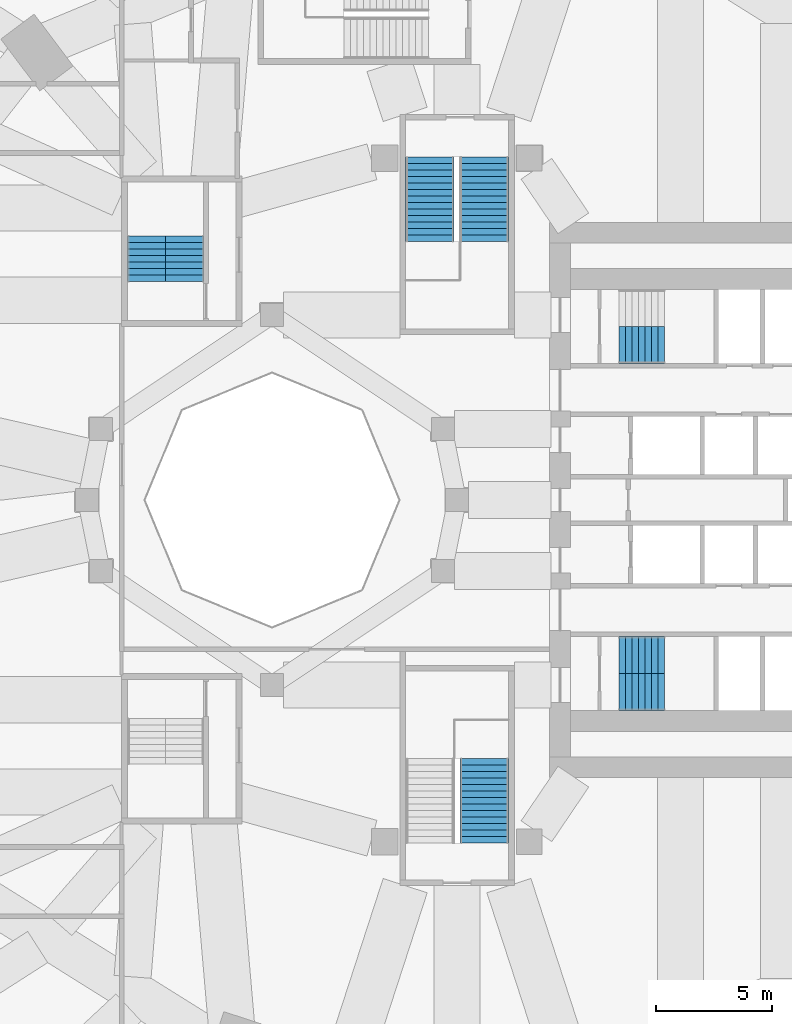
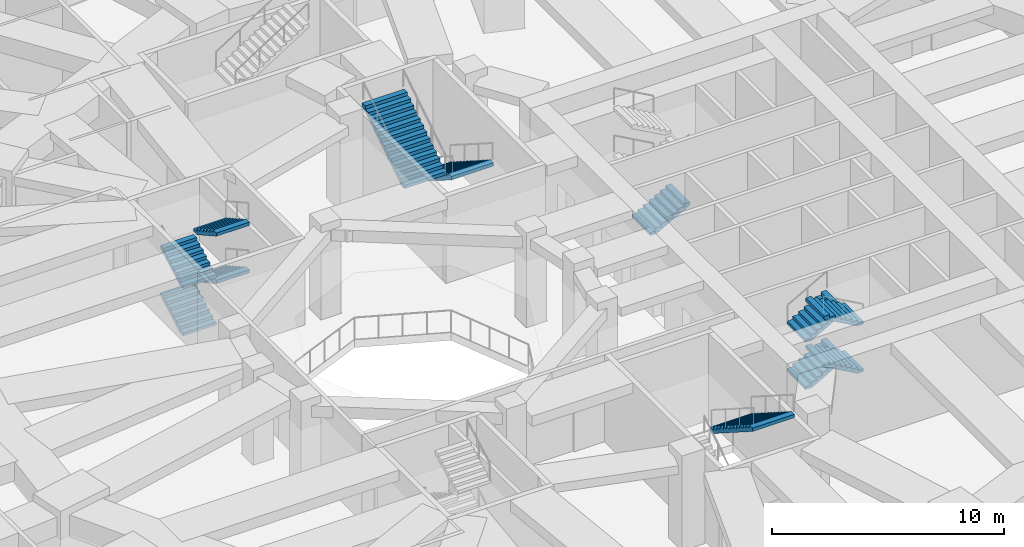
# One storey, part 26 of 32: 12 stair flights, 5 elements without a shape of their own.
"""IFC4 building model written with IfcOpenShell, lengths in metres."""

from ifc_helpers import new_model, si_unit, direction, frame, origin, place, context, subcontext, project, spatial, polyline, outline, extrude, material, type_object, element, aggregate, save


model = new_model("IFC4")

# Units and contexts
model_context = context("Model", 3, precision=1e-05, world=origin(), true_north=direction((0.0, 1.0)))
body_context = subcontext(model_context, "Body", "Model", "MODEL_VIEW")
ifc_project = project(units=[si_unit("LENGTHUNIT", "METRE"), si_unit("AREAUNIT", "SQUARE_METRE"), si_unit("VOLUMEUNIT", "CUBIC_METRE"), si_unit("PLANEANGLEUNIT", "RADIAN"), si_unit("MASSUNIT", "GRAM", prefix="KILO")], contexts=[model_context])

# Site, building, storey
site_placement = place(None, origin())
site = spatial("IfcSite", under=ifc_project, at=site_placement, CompositionType="ELEMENT")
building_placement = place(site_placement, origin())
building = spatial("IfcBuilding", under=site, at=building_placement, Name="Taillehof Tower", CompositionType="ELEMENT")
storey_placement = place(building_placement, frame((0.0, 0.0, 7.5)))
storey = spatial("IfcBuildingStorey", under=building, at=storey_placement, Name="L01", CompositionType="ELEMENT", Elevation=7.5)

# Stair, stair flight
ifc_material_1 = material(Name="Concrete C40/50", Category="concrete")
stair_type_1 = type_object("IfcStairType", Name="Exit stair half-turn", PredefinedType="HALF_TURN_STAIR", material=ifc_material_1)
stair_1_placement = place(storey_placement, origin())
stair_1 = element("IfcStair", 1, at=stair_1_placement, inside=storey, type_object=stair_type_1, Name="Exit stair S1", PredefinedType="HALF_TURN_STAIR")
ifc_material_2 = material(Name="Concrete C40/50", Category="concrete")
stair_flight_type_1 = type_object("IfcStairFlightType", Name="Stair flight 1600 riser 156.2 going 280", PredefinedType="STRAIGHT", material=ifc_material_2)
stair_flight_1_placement = place(storey_placement, frame((7.0, 6.699951171875, 0.0), z_axis=(0.0, 0.0, 1.0), x_axis=(1.0, 0.0, 0.0)))
stair_flight_1 = element("IfcStairFlight", 2, at=stair_flight_1_placement, type_object=stair_flight_type_1, Name="S1 flight 1", NumberOfRisers=8, NumberOfTreads=7, PredefinedType="STRAIGHT", RiserHeight=0.15625, TreadLength=0.28, context=body_context, shape_type="SweptSolid", body=[
    extrude(outline(polyline([(0.0, 0.0), (0.0, 0.00634765625), (0.0, 0.012451171875), (0.0, 0.018798828125), (0.0, 0.02490234375), (0.0, 0.03125), (0.0, 0.03759765625), (0.0, 0.043701171875), (0.0, 0.050048828125), (0.0, 0.05615234375), (0.0, 0.0625), (0.0, 0.06884765625), (0.0, 0.074951171875), (0.0, 0.081298828125), (0.0, 0.08740234375), (0.0, 0.09375), (0.0, 0.10009765625), (0.0, 0.106201171875), (0.0, 0.112548828125), (0.0, 0.11865234375), (0.0, 0.125), (0.0, 0.13134765625), (0.0, 0.137451171875), (0.0, 0.143798828125), (0.0, 0.14990234375), (0.0, 0.15625), (0.280029296875, 0.15625), (0.280029296875, 0.3125), (0.56005859375, 0.3125), (0.56005859375, 0.46875), (0.840087890625, 0.46875), (0.840087890625, 0.625), (1.1201171875, 0.625), (1.1201171875, 0.78125), (1.39990234375, 0.78125), (1.39990234375, 0.9375), (1.679931640625, 0.9375), (1.679931640625, 1.09375), (1.9599609375, 1.09375), (1.9599609375, 1.0869140625), (1.9599609375, 1.080078125), (1.9599609375, 1.0732421875), (1.9599609375, 1.066162109375), (1.9599609375, 1.059326171875), (1.9599609375, 1.052490234375), (1.9599609375, 1.045654296875), (1.9599609375, 1.038818359375), (1.9599609375, 1.031982421875), (1.9599609375, 1.025146484375), (1.9599609375, 1.018310546875), (1.9599609375, 1.01123046875), (1.9599609375, 1.00439453125), (1.9599609375, 0.99755859375), (1.9599609375, 0.99072265625), (1.9599609375, 0.98388671875), (1.9599609375, 0.97705078125), (1.9599609375, 0.97021484375), (1.9599609375, 0.96337890625), (1.9599609375, 0.956298828125), (1.9599609375, 0.949462890625), (1.9599609375, 0.942626953125), (1.9599609375, 0.935791015625), (1.9599609375, 0.928955078125), (1.9599609375, 0.922119140625), (0.3076171875, 0.0), (0.0, 0.0)])), frame((0.0, 0.800048828125, 0.0), z_axis=(0.0, -1.0, 0.0), x_axis=(1.0, 0.0, 0.0)), (0.0, 0.0, 1.0), 1.6),
])
aggregate(stair_1, [stair_flight_1])

# Stair, stair flights
stair_2_placement = place(storey_placement, origin())
stair_2 = element("IfcStair", 3, at=stair_2_placement, inside=storey, type_object=stair_type_1, Name="Exit stair S2", PredefinedType="HALF_TURN_STAIR")
stair_flight_2_placement = place(storey_placement, frame((7.0, -6.699951171875, 0.0), z_axis=(0.0, 0.0, 1.0), x_axis=(1.0, 0.0, 0.0)))
stair_flight_2 = element("IfcStairFlight", 4, at=stair_flight_2_placement, type_object=stair_flight_type_1, Name="S2 flight 1", NumberOfRisers=8, NumberOfTreads=7, PredefinedType="STRAIGHT", RiserHeight=0.15625, TreadLength=0.28, context=body_context, shape_type="SweptSolid", body=[
    extrude(outline(polyline([(0.0, 0.0), (0.0, 0.00634765625), (0.0, 0.012451171875), (0.0, 0.018798828125), (0.0, 0.02490234375), (0.0, 0.03125), (0.0, 0.03759765625), (0.0, 0.043701171875), (0.0, 0.050048828125), (0.0, 0.05615234375), (0.0, 0.0625), (0.0, 0.06884765625), (0.0, 0.074951171875), (0.0, 0.081298828125), (0.0, 0.08740234375), (0.0, 0.09375), (0.0, 0.10009765625), (0.0, 0.106201171875), (0.0, 0.112548828125), (0.0, 0.11865234375), (0.0, 0.125), (0.0, 0.13134765625), (0.0, 0.137451171875), (0.0, 0.143798828125), (0.0, 0.14990234375), (0.0, 0.15625), (0.280029296875, 0.15625), (0.280029296875, 0.3125), (0.56005859375, 0.3125), (0.56005859375, 0.46875), (0.840087890625, 0.46875), (0.840087890625, 0.625), (1.1201171875, 0.625), (1.1201171875, 0.78125), (1.39990234375, 0.78125), (1.39990234375, 0.9375), (1.679931640625, 0.9375), (1.679931640625, 1.09375), (1.9599609375, 1.09375), (1.9599609375, 1.0869140625), (1.9599609375, 1.080078125), (1.9599609375, 1.0732421875), (1.9599609375, 1.066162109375), (1.9599609375, 1.059326171875), (1.9599609375, 1.052490234375), (1.9599609375, 1.045654296875), (1.9599609375, 1.038818359375), (1.9599609375, 1.031982421875), (1.9599609375, 1.025146484375), (1.9599609375, 1.018310546875), (1.9599609375, 1.01123046875), (1.9599609375, 1.00439453125), (1.9599609375, 0.99755859375), (1.9599609375, 0.99072265625), (1.9599609375, 0.98388671875), (1.9599609375, 0.97705078125), (1.9599609375, 0.97021484375), (1.9599609375, 0.96337890625), (1.9599609375, 0.956298828125), (1.9599609375, 0.949462890625), (1.9599609375, 0.942626953125), (1.9599609375, 0.935791015625), (1.9599609375, 0.928955078125), (1.9599609375, 0.922119140625), (0.3076171875, 0.0), (0.0, 0.0)])), frame((0.0, 0.800048828125, 0.0), z_axis=(0.0, -1.0, 0.0), x_axis=(1.0, 0.0, 0.0)), (0.0, 0.0, 1.0), 1.6),
])
stair_flight_3_placement = place(storey_placement, frame((8.9599609375, -8.300048828125, 1.25), z_axis=(0.0, 0.0, 1.0), x_axis=(-1.0, 0.0, 0.0)))
stair_flight_3 = element("IfcStairFlight", 5, at=stair_flight_3_placement, type_object=stair_flight_type_1, Name="S2 flight 2", NumberOfRisers=8, NumberOfTreads=7, PredefinedType="STRAIGHT", RiserHeight=0.15625, TreadLength=0.28, context=body_context, shape_type="SweptSolid", body=[
    extrude(outline(polyline([(0.0, 0.0), (0.0, 0.00634765625), (0.0, 0.012451171875), (0.0, 0.018798828125), (0.0, 0.02490234375), (0.0, 0.03125), (0.0, 0.03759765625), (0.0, 0.043701171875), (0.0, 0.050048828125), (0.0, 0.05615234375), (0.0, 0.0625), (0.0, 0.06884765625), (0.0, 0.074951171875), (0.0, 0.081298828125), (0.0, 0.08740234375), (0.0, 0.09375), (0.0, 0.10009765625), (0.0, 0.106201171875), (0.0, 0.112548828125), (0.0, 0.11865234375), (0.0, 0.125), (0.0, 0.13134765625), (0.0, 0.137451171875), (0.0, 0.143798828125), (0.0, 0.14990234375), (0.0, 0.15625), (0.280029296875, 0.15625), (0.280029296875, 0.3125), (0.56005859375, 0.3125), (0.56005859375, 0.46875), (0.840087890625, 0.46875), (0.840087890625, 0.625), (1.1201171875, 0.625), (1.1201171875, 0.78125), (1.39990234375, 0.78125), (1.39990234375, 0.9375), (1.679931640625, 0.9375), (1.679931640625, 1.09375), (1.9599609375, 1.09375), (1.9599609375, 1.0869140625), (1.9599609375, 1.080078125), (1.9599609375, 1.0732421875), (1.9599609375, 1.066162109375), (1.9599609375, 1.059326171875), (1.9599609375, 1.052490234375), (1.9599609375, 1.045654296875), (1.9599609375, 1.038818359375), (1.9599609375, 1.031982421875), (1.9599609375, 1.025146484375), (1.9599609375, 1.018310546875), (1.9599609375, 1.01123046875), (1.9599609375, 1.00439453125), (1.9599609375, 0.99755859375), (1.9599609375, 0.99072265625), (1.9599609375, 0.98388671875), (1.9599609375, 0.97705078125), (1.9599609375, 0.97021484375), (1.9599609375, 0.96337890625), (1.9599609375, 0.956298828125), (1.9599609375, 0.949462890625), (1.9599609375, 0.942626953125), (1.9599609375, 0.935791015625), (1.9599609375, 0.928955078125), (1.9599609375, 0.922119140625), (0.3076171875, 0.0), (0.0, 0.0)])), frame((0.0, 0.800048828125, 0.0), z_axis=(0.0, -1.0, 0.0), x_axis=(1.0, 0.0, 0.0)), (0.0, 0.0, 1.0), 1.6),
])
stair_flight_4_placement = place(storey_placement, frame((7.0, -6.699951171875, 2.5), z_axis=(0.0, 0.0, 1.0), x_axis=(1.0, 0.0, 0.0)))
stair_flight_4 = element("IfcStairFlight", 6, at=stair_flight_4_placement, type_object=stair_flight_type_1, Name="S2 flight 3", NumberOfRisers=8, NumberOfTreads=7, PredefinedType="STRAIGHT", RiserHeight=0.15625, TreadLength=0.28, context=body_context, shape_type="SweptSolid", body=[
    extrude(outline(polyline([(0.0, 0.0), (0.0, 0.00634765625), (0.0, 0.012451171875), (0.0, 0.018798828125), (0.0, 0.02490234375), (0.0, 0.03125), (0.0, 0.03759765625), (0.0, 0.043701171875), (0.0, 0.050048828125), (0.0, 0.05615234375), (0.0, 0.0625), (0.0, 0.06884765625), (0.0, 0.074951171875), (0.0, 0.081298828125), (0.0, 0.08740234375), (0.0, 0.09375), (0.0, 0.10009765625), (0.0, 0.106201171875), (0.0, 0.112548828125), (0.0, 0.11865234375), (0.0, 0.125), (0.0, 0.13134765625), (0.0, 0.137451171875), (0.0, 0.143798828125), (0.0, 0.14990234375), (0.0, 0.15625), (0.280029296875, 0.15625), (0.280029296875, 0.3125), (0.56005859375, 0.3125), (0.56005859375, 0.46875), (0.840087890625, 0.46875), (0.840087890625, 0.625), (1.1201171875, 0.625), (1.1201171875, 0.78125), (1.39990234375, 0.78125), (1.39990234375, 0.9375), (1.679931640625, 0.9375), (1.679931640625, 1.09375), (1.9599609375, 1.09375), (1.9599609375, 1.0869140625), (1.9599609375, 1.080078125), (1.9599609375, 1.0732421875), (1.9599609375, 1.066162109375), (1.9599609375, 1.059326171875), (1.9599609375, 1.052490234375), (1.9599609375, 1.045654296875), (1.9599609375, 1.038818359375), (1.9599609375, 1.031982421875), (1.9599609375, 1.025146484375), (1.9599609375, 1.018310546875), (1.9599609375, 1.01123046875), (1.9599609375, 1.00439453125), (1.9599609375, 0.99755859375), (1.9599609375, 0.99072265625), (1.9599609375, 0.98388671875), (1.9599609375, 0.97705078125), (1.9599609375, 0.97021484375), (1.9599609375, 0.96337890625), (1.9599609375, 0.956298828125), (1.9599609375, 0.949462890625), (1.9599609375, 0.942626953125), (1.9599609375, 0.935791015625), (1.9599609375, 0.928955078125), (1.9599609375, 0.922119140625), (0.3076171875, 0.0), (0.0, 0.0)])), frame((0.0, 0.800048828125, 0.0), z_axis=(0.0, -1.0, 0.0), x_axis=(1.0, 0.0, 0.0)), (0.0, 0.0, 1.0), 1.6),
])
stair_flight_5_placement = place(storey_placement, frame((8.9599609375, -8.300048828125, 3.75), z_axis=(0.0, 0.0, 1.0), x_axis=(-1.0, 0.0, 0.0)))
stair_flight_5 = element("IfcStairFlight", 7, at=stair_flight_5_placement, type_object=stair_flight_type_1, Name="S2 flight 4", NumberOfRisers=8, NumberOfTreads=7, PredefinedType="STRAIGHT", RiserHeight=0.15625, TreadLength=0.28, context=body_context, shape_type="SweptSolid", body=[
    extrude(outline(polyline([(0.0, 0.0), (0.0, 0.00634765625), (0.0, 0.012451171875), (0.0, 0.018798828125), (0.0, 0.02490234375), (0.0, 0.03125), (0.0, 0.03759765625), (0.0, 0.043701171875), (0.0, 0.050048828125), (0.0, 0.05615234375), (0.0, 0.0625), (0.0, 0.06884765625), (0.0, 0.074951171875), (0.0, 0.081298828125), (0.0, 0.08740234375), (0.0, 0.09375), (0.0, 0.10009765625), (0.0, 0.106201171875), (0.0, 0.112548828125), (0.0, 0.11865234375), (0.0, 0.125), (0.0, 0.13134765625), (0.0, 0.137451171875), (0.0, 0.143798828125), (0.0, 0.14990234375), (0.0, 0.15625), (0.280029296875, 0.15625), (0.280029296875, 0.3125), (0.56005859375, 0.3125), (0.56005859375, 0.46875), (0.840087890625, 0.46875), (0.840087890625, 0.625), (1.1201171875, 0.625), (1.1201171875, 0.78125), (1.39990234375, 0.78125), (1.39990234375, 0.9375), (1.679931640625, 0.9375), (1.679931640625, 1.09375), (1.9599609375, 1.09375), (1.9599609375, 1.0869140625), (1.9599609375, 1.080078125), (1.9599609375, 1.0732421875), (1.9599609375, 1.066162109375), (1.9599609375, 1.059326171875), (1.9599609375, 1.052490234375), (1.9599609375, 1.045654296875), (1.9599609375, 1.038818359375), (1.9599609375, 1.031982421875), (1.9599609375, 1.025146484375), (1.9599609375, 1.018310546875), (1.9599609375, 1.01123046875), (1.9599609375, 1.00439453125), (1.9599609375, 0.99755859375), (1.9599609375, 0.99072265625), (1.9599609375, 0.98388671875), (1.9599609375, 0.97705078125), (1.9599609375, 0.97021484375), (1.9599609375, 0.96337890625), (1.9599609375, 0.956298828125), (1.9599609375, 0.949462890625), (1.9599609375, 0.942626953125), (1.9599609375, 0.935791015625), (1.9599609375, 0.928955078125), (1.9599609375, 0.922119140625), (0.3076171875, 0.0), (0.0, 0.0)])), frame((0.0, 0.800048828125, 0.0), z_axis=(0.0, -1.0, 0.0), x_axis=(1.0, 0.0, 0.0)), (0.0, 0.0, 1.0), 1.6),
])
aggregate(stair_2, [stair_flight_2, stair_flight_3, stair_flight_4, stair_flight_5])

stair_3_placement = place(storey_placement, origin())
stair_3 = element("IfcStair", 8, at=stair_3_placement, inside=storey, type_object=stair_type_1, Name="Exit stair S3", PredefinedType="HALF_TURN_STAIR")
ifc_material_3 = material(Name="Concrete C40/50", Category="concrete")
stair_flight_type_2 = type_object("IfcStairFlightType", Name="Stair flight 1650 riser 156.2 going 280", PredefinedType="STRAIGHT", material=ifc_material_3)
stair_flight_6_placement = place(storey_placement, frame((-13.425048828125, 9.449951171875, 0.0), z_axis=(0.0, 0.0, 1.0), x_axis=(0.0, 1.0, 0.0)))
stair_flight_6 = element("IfcStairFlight", 9, at=stair_flight_6_placement, type_object=stair_flight_type_2, Name="S3 flight 1", NumberOfRisers=8, NumberOfTreads=7, PredefinedType="STRAIGHT", RiserHeight=0.15625, TreadLength=0.28, context=body_context, shape_type="SweptSolid", body=[
    extrude(outline(polyline([(0.0, 0.0), (0.0, 0.00634765625), (0.0, 0.012451171875), (0.0, 0.018798828125), (0.0, 0.02490234375), (0.0, 0.03125), (0.0, 0.03759765625), (0.0, 0.043701171875), (0.0, 0.050048828125), (0.0, 0.05615234375), (0.0, 0.0625), (0.0, 0.06884765625), (0.0, 0.074951171875), (0.0, 0.081298828125), (0.0, 0.08740234375), (0.0, 0.09375), (0.0, 0.10009765625), (0.0, 0.106201171875), (0.0, 0.112548828125), (0.0, 0.11865234375), (0.0, 0.125), (0.0, 0.13134765625), (0.0, 0.137451171875), (0.0, 0.143798828125), (0.0, 0.14990234375), (0.0, 0.15625), (0.280029296875, 0.15625), (0.280029296875, 0.3125), (0.56005859375, 0.3125), (0.56005859375, 0.46875), (0.840087890625, 0.46875), (0.840087890625, 0.625), (1.1201171875, 0.625), (1.1201171875, 0.78125), (1.39990234375, 0.78125), (1.39990234375, 0.9375), (1.679931640625, 0.9375), (1.679931640625, 1.09375), (1.9599609375, 1.09375), (1.9599609375, 1.0869140625), (1.9599609375, 1.080078125), (1.9599609375, 1.0732421875), (1.9599609375, 1.066162109375), (1.9599609375, 1.059326171875), (1.9599609375, 1.052490234375), (1.9599609375, 1.045654296875), (1.9599609375, 1.038818359375), (1.9599609375, 1.031982421875), (1.9599609375, 1.025146484375), (1.9599609375, 1.018310546875), (1.9599609375, 1.01123046875), (1.9599609375, 1.00439453125), (1.9599609375, 0.99755859375), (1.9599609375, 0.99072265625), (1.9599609375, 0.98388671875), (1.9599609375, 0.97705078125), (1.9599609375, 0.97021484375), (1.9599609375, 0.96337890625), (1.9599609375, 0.956298828125), (1.9599609375, 0.949462890625), (1.9599609375, 0.942626953125), (1.9599609375, 0.935791015625), (1.9599609375, 0.928955078125), (1.9599609375, 0.922119140625), (0.3076171875, 0.0), (0.0, 0.0)])), frame((0.0, 0.824951171875, 0.0), z_axis=(0.0, -1.0, 0.0), x_axis=(1.0, 0.0, 0.0)), (0.0, 0.0, 1.0), 1.65),
])
stair_flight_7_placement = place(storey_placement, frame((-11.77490234375, 11.409912109375, 1.25), z_axis=(0.0, 0.0, 1.0), x_axis=(0.0, -1.0, 0.0)))
stair_flight_7 = element("IfcStairFlight", 10, at=stair_flight_7_placement, type_object=stair_flight_type_2, Name="S3 flight 2", NumberOfRisers=8, NumberOfTreads=7, PredefinedType="STRAIGHT", RiserHeight=0.15625, TreadLength=0.28, context=body_context, shape_type="SweptSolid", body=[
    extrude(outline(polyline([(0.0, 0.0), (0.0, 0.00634765625), (0.0, 0.012451171875), (0.0, 0.018798828125), (0.0, 0.02490234375), (0.0, 0.03125), (0.0, 0.03759765625), (0.0, 0.043701171875), (0.0, 0.050048828125), (0.0, 0.05615234375), (0.0, 0.0625), (0.0, 0.06884765625), (0.0, 0.074951171875), (0.0, 0.081298828125), (0.0, 0.08740234375), (0.0, 0.09375), (0.0, 0.10009765625), (0.0, 0.106201171875), (0.0, 0.112548828125), (0.0, 0.11865234375), (0.0, 0.125), (0.0, 0.13134765625), (0.0, 0.137451171875), (0.0, 0.143798828125), (0.0, 0.14990234375), (0.0, 0.15625), (0.280029296875, 0.15625), (0.280029296875, 0.3125), (0.56005859375, 0.3125), (0.56005859375, 0.46875), (0.840087890625, 0.46875), (0.840087890625, 0.625), (1.1201171875, 0.625), (1.1201171875, 0.78125), (1.39990234375, 0.78125), (1.39990234375, 0.9375), (1.679931640625, 0.9375), (1.679931640625, 1.09375), (1.9599609375, 1.09375), (1.9599609375, 1.0869140625), (1.9599609375, 1.080078125), (1.9599609375, 1.0732421875), (1.9599609375, 1.066162109375), (1.9599609375, 1.059326171875), (1.9599609375, 1.052490234375), (1.9599609375, 1.045654296875), (1.9599609375, 1.038818359375), (1.9599609375, 1.031982421875), (1.9599609375, 1.025146484375), (1.9599609375, 1.018310546875), (1.9599609375, 1.01123046875), (1.9599609375, 1.00439453125), (1.9599609375, 0.99755859375), (1.9599609375, 0.99072265625), (1.9599609375, 0.98388671875), (1.9599609375, 0.97705078125), (1.9599609375, 0.97021484375), (1.9599609375, 0.96337890625), (1.9599609375, 0.956298828125), (1.9599609375, 0.949462890625), (1.9599609375, 0.942626953125), (1.9599609375, 0.935791015625), (1.9599609375, 0.928955078125), (1.9599609375, 0.922119140625), (0.3076171875, 0.0), (0.0, 0.0)])), frame((0.0, 0.824951171875, 0.0), z_axis=(0.0, -1.0, 0.0), x_axis=(1.0, 0.0, 0.0)), (0.0, 0.0, 1.0), 1.65),
])
stair_flight_8_placement = place(storey_placement, frame((-13.425048828125, 9.449951171875, 2.5), z_axis=(0.0, 0.0, 1.0), x_axis=(0.0, 1.0, 0.0)))
stair_flight_8 = element("IfcStairFlight", 11, at=stair_flight_8_placement, type_object=stair_flight_type_2, Name="S3 flight 3", NumberOfRisers=8, NumberOfTreads=7, PredefinedType="STRAIGHT", RiserHeight=0.15625, TreadLength=0.28, context=body_context, shape_type="SweptSolid", body=[
    extrude(outline(polyline([(0.0, 0.0), (0.0, 0.00634765625), (0.0, 0.012451171875), (0.0, 0.018798828125), (0.0, 0.02490234375), (0.0, 0.03125), (0.0, 0.03759765625), (0.0, 0.043701171875), (0.0, 0.050048828125), (0.0, 0.05615234375), (0.0, 0.0625), (0.0, 0.06884765625), (0.0, 0.074951171875), (0.0, 0.081298828125), (0.0, 0.08740234375), (0.0, 0.09375), (0.0, 0.10009765625), (0.0, 0.106201171875), (0.0, 0.112548828125), (0.0, 0.11865234375), (0.0, 0.125), (0.0, 0.13134765625), (0.0, 0.137451171875), (0.0, 0.143798828125), (0.0, 0.14990234375), (0.0, 0.15625), (0.280029296875, 0.15625), (0.280029296875, 0.3125), (0.56005859375, 0.3125), (0.56005859375, 0.46875), (0.840087890625, 0.46875), (0.840087890625, 0.625), (1.1201171875, 0.625), (1.1201171875, 0.78125), (1.39990234375, 0.78125), (1.39990234375, 0.9375), (1.679931640625, 0.9375), (1.679931640625, 1.09375), (1.9599609375, 1.09375), (1.9599609375, 1.0869140625), (1.9599609375, 1.080078125), (1.9599609375, 1.0732421875), (1.9599609375, 1.066162109375), (1.9599609375, 1.059326171875), (1.9599609375, 1.052490234375), (1.9599609375, 1.045654296875), (1.9599609375, 1.038818359375), (1.9599609375, 1.031982421875), (1.9599609375, 1.025146484375), (1.9599609375, 1.018310546875), (1.9599609375, 1.01123046875), (1.9599609375, 1.00439453125), (1.9599609375, 0.99755859375), (1.9599609375, 0.99072265625), (1.9599609375, 0.98388671875), (1.9599609375, 0.97705078125), (1.9599609375, 0.97021484375), (1.9599609375, 0.96337890625), (1.9599609375, 0.956298828125), (1.9599609375, 0.949462890625), (1.9599609375, 0.942626953125), (1.9599609375, 0.935791015625), (1.9599609375, 0.928955078125), (1.9599609375, 0.922119140625), (0.3076171875, 0.0), (0.0, 0.0)])), frame((0.0, 0.824951171875, 0.0), z_axis=(0.0, -1.0, 0.0), x_axis=(1.0, 0.0, 0.0)), (0.0, 0.0, 1.0), 1.65),
])
stair_flight_9_placement = place(storey_placement, frame((-11.77490234375, 11.409912109375, 3.75), z_axis=(0.0, 0.0, 1.0), x_axis=(0.0, -1.0, 0.0)))
stair_flight_9 = element("IfcStairFlight", 12, at=stair_flight_9_placement, type_object=stair_flight_type_2, Name="S3 flight 4", NumberOfRisers=8, NumberOfTreads=7, PredefinedType="STRAIGHT", RiserHeight=0.15625, TreadLength=0.28, context=body_context, shape_type="SweptSolid", body=[
    extrude(outline(polyline([(0.0, 0.0), (0.0, 0.00634765625), (0.0, 0.012451171875), (0.0, 0.018798828125), (0.0, 0.02490234375), (0.0, 0.03125), (0.0, 0.03759765625), (0.0, 0.043701171875), (0.0, 0.050048828125), (0.0, 0.05615234375), (0.0, 0.0625), (0.0, 0.06884765625), (0.0, 0.074951171875), (0.0, 0.081298828125), (0.0, 0.08740234375), (0.0, 0.09375), (0.0, 0.10009765625), (0.0, 0.106201171875), (0.0, 0.112548828125), (0.0, 0.11865234375), (0.0, 0.125), (0.0, 0.13134765625), (0.0, 0.137451171875), (0.0, 0.143798828125), (0.0, 0.14990234375), (0.0, 0.15625), (0.280029296875, 0.15625), (0.280029296875, 0.3125), (0.56005859375, 0.3125), (0.56005859375, 0.46875), (0.840087890625, 0.46875), (0.840087890625, 0.625), (1.1201171875, 0.625), (1.1201171875, 0.78125), (1.39990234375, 0.78125), (1.39990234375, 0.9375), (1.679931640625, 0.9375), (1.679931640625, 1.09375), (1.9599609375, 1.09375), (1.9599609375, 1.0869140625), (1.9599609375, 1.080078125), (1.9599609375, 1.0732421875), (1.9599609375, 1.066162109375), (1.9599609375, 1.059326171875), (1.9599609375, 1.052490234375), (1.9599609375, 1.045654296875), (1.9599609375, 1.038818359375), (1.9599609375, 1.031982421875), (1.9599609375, 1.025146484375), (1.9599609375, 1.018310546875), (1.9599609375, 1.01123046875), (1.9599609375, 1.00439453125), (1.9599609375, 0.99755859375), (1.9599609375, 0.99072265625), (1.9599609375, 0.98388671875), (1.9599609375, 0.97705078125), (1.9599609375, 0.97021484375), (1.9599609375, 0.96337890625), (1.9599609375, 0.956298828125), (1.9599609375, 0.949462890625), (1.9599609375, 0.942626953125), (1.9599609375, 0.935791015625), (1.9599609375, 0.928955078125), (1.9599609375, 0.922119140625), (0.3076171875, 0.0), (0.0, 0.0)])), frame((0.0, 0.824951171875, 0.0), z_axis=(0.0, -1.0, 0.0), x_axis=(1.0, 0.0, 0.0)), (0.0, 0.0, 1.0), 1.65),
])
aggregate(stair_3, [stair_flight_6, stair_flight_7, stair_flight_8, stair_flight_9])

ifc_material_4 = material(Name="Concrete C30/37", Category="concrete")
stair_type_2 = type_object("IfcStairType", Name="Escape stair 2100 mm", PredefinedType="HALF_TURN_STAIR", material=ifc_material_4)
stair_4_placement = place(storey_placement, origin())
stair_4 = element("IfcStair", 13, at=stair_4_placement, inside=storey, type_object=stair_type_2, Name="Escape stair P1", PredefinedType="HALF_TURN_STAIR")
ifc_material_5 = material(Name="Concrete C30/37", Category="concrete")
stair_flight_type_3 = type_object("IfcStairFlightType", Name="Stair flight 2100 mm", PredefinedType="STRAIGHT", material=ifc_material_5)
stair_flight_10_placement = place(storey_placement, frame((1.175048828125, 14.820068359375, 0.0), z_axis=(0.0, 0.0, 1.0), x_axis=(0.0, -1.0, 0.0)))
stair_flight_10 = element("IfcStairFlight", 14, at=stair_flight_10_placement, type_object=stair_flight_type_3, Name="P1 flight 1", NumberOfRisers=14, NumberOfTreads=13, PredefinedType="STRAIGHT", RiserHeight=0.178571429, TreadLength=0.28, context=body_context, shape_type="SweptSolid", body=[
    extrude(outline(polyline([(0.0, 0.0), (0.0, 0.004150390625), (0.0, 0.00830078125), (0.0, 0.012451171875), (0.0, 0.0166015625), (0.0, 0.020751953125), (0.0, 0.02490234375), (0.0, 0.029052734375), (0.0, 0.033203125), (0.0, 0.037353515625), (0.0, 0.04150390625), (0.0, 0.045654296875), (0.0, 0.0498046875), (0.0, 0.053955078125), (0.0, 0.05810546875), (0.0, 0.062255859375), (0.0, 0.06640625), (0.0, 0.070556640625), (0.0, 0.07470703125), (0.0, 0.078857421875), (0.0, 0.0830078125), (0.0, 0.087158203125), (0.0, 0.09130859375), (0.0, 0.095458984375), (0.0, 0.099609375), (0.0, 0.103759765625), (0.0, 0.10791015625), (0.0, 0.112060546875), (0.0, 0.1162109375), (0.0, 0.120361328125), (0.0, 0.12451171875), (0.0, 0.128662109375), (0.0, 0.1328125), (0.0, 0.136962890625), (0.0, 0.14111328125), (0.0, 0.145263671875), (0.0, 0.1494140625), (0.0, 0.153564453125), (0.0, 0.15771484375), (0.0, 0.161865234375), (0.0, 0.166015625), (0.0, 0.170166015625), (0.0, 0.17431640625), (0.0, 0.178466796875), (0.280029296875, 0.178466796875), (0.280029296875, 0.357177734375), (0.56005859375, 0.357177734375), (0.56005859375, 0.53564453125), (0.840087890625, 0.53564453125), (0.840087890625, 0.71435546875), (1.1201171875, 0.71435546875), (1.1201171875, 0.892822265625), (1.39990234375, 0.892822265625), (1.39990234375, 1.071533203125), (1.679931640625, 1.071533203125), (1.679931640625, 1.25), (1.9599609375, 1.25), (1.9599609375, 1.428466796875), (2.239990234375, 1.428466796875), (2.239990234375, 1.607177734375), (2.52001953125, 1.607177734375), (2.52001953125, 1.78564453125), (2.800048828125, 1.78564453125), (2.800048828125, 1.96435546875), (3.080078125, 1.96435546875), (3.080078125, 2.142822265625), (3.360107421875, 2.142822265625), (3.360107421875, 2.321533203125), (3.639892578125, 2.321533203125), (3.639892578125, 2.3173828125), (3.639892578125, 2.313232421875), (3.639892578125, 2.30908203125), (3.639892578125, 2.304931640625), (3.639892578125, 2.30078125), (3.639892578125, 2.296630859375), (3.639892578125, 2.29248046875), (3.639892578125, 2.288330078125), (3.639892578125, 2.2841796875), (3.639892578125, 2.280029296875), (3.639892578125, 2.27587890625), (3.639892578125, 2.271728515625), (3.639892578125, 2.267578125), (3.639892578125, 2.263427734375), (3.639892578125, 2.259521484375), (3.639892578125, 2.25537109375), (3.639892578125, 2.251220703125), (3.639892578125, 2.2470703125), (3.639892578125, 2.242919921875), (3.639892578125, 2.23876953125), (3.639892578125, 2.234619140625), (3.639892578125, 2.23046875), (3.639892578125, 2.226318359375), (3.639892578125, 2.22216796875), (3.639892578125, 2.218017578125), (3.639892578125, 2.2138671875), (3.639892578125, 2.209716796875), (3.639892578125, 2.20556640625), (3.639892578125, 2.201416015625), (3.639892578125, 2.197265625), (3.639892578125, 2.193359375), (3.639892578125, 2.189208984375), (3.639892578125, 2.18505859375), (3.639892578125, 2.180908203125), (3.639892578125, 2.1767578125), (3.639892578125, 2.172607421875), (3.639892578125, 2.16845703125), (3.639892578125, 2.164306640625), (3.639892578125, 2.16015625), (3.639892578125, 2.156005859375), (3.639892578125, 2.15185546875), (3.639892578125, 2.147705078125), (3.639892578125, 2.1435546875), (0.27880859375, 0.0), (0.0, 0.0)])), frame((0.0, 1.050048828125, 0.0), z_axis=(0.0, -1.0, 0.0), x_axis=(1.0, 0.0, 0.0)), (0.0, 0.0, 1.0), 2.1),
])
stair_flight_11_placement = place(storey_placement, frame((-1.175048828125, 11.179931640625, 2.5), z_axis=(0.0, 0.0, 1.0), x_axis=(0.0, 1.0, 0.0)))
stair_flight_11 = element("IfcStairFlight", 15, at=stair_flight_11_placement, type_object=stair_flight_type_3, Name="P1 flight 2", NumberOfRisers=14, NumberOfTreads=13, PredefinedType="STRAIGHT", RiserHeight=0.178571429, TreadLength=0.28, context=body_context, shape_type="SweptSolid", body=[
    extrude(outline(polyline([(0.0, 0.0), (0.0, 0.004150390625), (0.0, 0.00830078125), (0.0, 0.012451171875), (0.0, 0.0166015625), (0.0, 0.020751953125), (0.0, 0.02490234375), (0.0, 0.029052734375), (0.0, 0.033203125), (0.0, 0.037353515625), (0.0, 0.04150390625), (0.0, 0.045654296875), (0.0, 0.0498046875), (0.0, 0.053955078125), (0.0, 0.05810546875), (0.0, 0.062255859375), (0.0, 0.06640625), (0.0, 0.070556640625), (0.0, 0.07470703125), (0.0, 0.078857421875), (0.0, 0.0830078125), (0.0, 0.087158203125), (0.0, 0.09130859375), (0.0, 0.095458984375), (0.0, 0.099609375), (0.0, 0.103759765625), (0.0, 0.10791015625), (0.0, 0.112060546875), (0.0, 0.1162109375), (0.0, 0.120361328125), (0.0, 0.12451171875), (0.0, 0.128662109375), (0.0, 0.1328125), (0.0, 0.136962890625), (0.0, 0.14111328125), (0.0, 0.145263671875), (0.0, 0.1494140625), (0.0, 0.153564453125), (0.0, 0.15771484375), (0.0, 0.161865234375), (0.0, 0.166015625), (0.0, 0.170166015625), (0.0, 0.17431640625), (0.0, 0.178466796875), (0.280029296875, 0.178466796875), (0.280029296875, 0.357177734375), (0.56005859375, 0.357177734375), (0.56005859375, 0.53564453125), (0.840087890625, 0.53564453125), (0.840087890625, 0.71435546875), (1.1201171875, 0.71435546875), (1.1201171875, 0.892822265625), (1.39990234375, 0.892822265625), (1.39990234375, 1.071533203125), (1.679931640625, 1.071533203125), (1.679931640625, 1.25), (1.9599609375, 1.25), (1.9599609375, 1.428466796875), (2.239990234375, 1.428466796875), (2.239990234375, 1.607177734375), (2.52001953125, 1.607177734375), (2.52001953125, 1.78564453125), (2.800048828125, 1.78564453125), (2.800048828125, 1.96435546875), (3.080078125, 1.96435546875), (3.080078125, 2.142822265625), (3.360107421875, 2.142822265625), (3.360107421875, 2.321533203125), (3.639892578125, 2.321533203125), (3.639892578125, 2.3173828125), (3.639892578125, 2.313232421875), (3.639892578125, 2.30908203125), (3.639892578125, 2.304931640625), (3.639892578125, 2.30078125), (3.639892578125, 2.296630859375), (3.639892578125, 2.29248046875), (3.639892578125, 2.288330078125), (3.639892578125, 2.2841796875), (3.639892578125, 2.280029296875), (3.639892578125, 2.27587890625), (3.639892578125, 2.271728515625), (3.639892578125, 2.267578125), (3.639892578125, 2.263427734375), (3.639892578125, 2.259521484375), (3.639892578125, 2.25537109375), (3.639892578125, 2.251220703125), (3.639892578125, 2.2470703125), (3.639892578125, 2.242919921875), (3.639892578125, 2.23876953125), (3.639892578125, 2.234619140625), (3.639892578125, 2.23046875), (3.639892578125, 2.226318359375), (3.639892578125, 2.22216796875), (3.639892578125, 2.218017578125), (3.639892578125, 2.2138671875), (3.639892578125, 2.209716796875), (3.639892578125, 2.20556640625), (3.639892578125, 2.201416015625), (3.639892578125, 2.197265625), (3.639892578125, 2.193359375), (3.639892578125, 2.189208984375), (3.639892578125, 2.18505859375), (3.639892578125, 2.180908203125), (3.639892578125, 2.1767578125), (3.639892578125, 2.172607421875), (3.639892578125, 2.16845703125), (3.639892578125, 2.164306640625), (3.639892578125, 2.16015625), (3.639892578125, 2.156005859375), (3.639892578125, 2.15185546875), (3.639892578125, 2.147705078125), (3.639892578125, 2.1435546875), (0.27880859375, 0.0), (0.0, 0.0)])), frame((0.0, 1.050048828125, 0.0), z_axis=(0.0, -1.0, 0.0), x_axis=(1.0, 0.0, 0.0)), (0.0, 0.0, 1.0), 2.1),
])
aggregate(stair_4, [stair_flight_10, stair_flight_11])

# Stair, stair flight
stair_5_placement = place(storey_placement, origin())
stair_5 = element("IfcStair", 16, at=stair_5_placement, inside=storey, type_object=stair_type_2, Name="Escape stair P2", PredefinedType="HALF_TURN_STAIR")
stair_flight_12_placement = place(storey_placement, frame((1.175048828125, -11.179931640625, 2.5), z_axis=(0.0, 0.0, 1.0), x_axis=(0.0, -1.0, 0.0)))
stair_flight_12 = element("IfcStairFlight", 17, at=stair_flight_12_placement, type_object=stair_flight_type_3, Name="P2 flight 2", NumberOfRisers=14, NumberOfTreads=13, PredefinedType="STRAIGHT", RiserHeight=0.178571429, TreadLength=0.28, context=body_context, shape_type="SweptSolid", body=[
    extrude(outline(polyline([(0.0, 0.0), (0.0, 0.004150390625), (0.0, 0.00830078125), (0.0, 0.012451171875), (0.0, 0.0166015625), (0.0, 0.020751953125), (0.0, 0.02490234375), (0.0, 0.029052734375), (0.0, 0.033203125), (0.0, 0.037353515625), (0.0, 0.04150390625), (0.0, 0.045654296875), (0.0, 0.0498046875), (0.0, 0.053955078125), (0.0, 0.05810546875), (0.0, 0.062255859375), (0.0, 0.06640625), (0.0, 0.070556640625), (0.0, 0.07470703125), (0.0, 0.078857421875), (0.0, 0.0830078125), (0.0, 0.087158203125), (0.0, 0.09130859375), (0.0, 0.095458984375), (0.0, 0.099609375), (0.0, 0.103759765625), (0.0, 0.10791015625), (0.0, 0.112060546875), (0.0, 0.1162109375), (0.0, 0.120361328125), (0.0, 0.12451171875), (0.0, 0.128662109375), (0.0, 0.1328125), (0.0, 0.136962890625), (0.0, 0.14111328125), (0.0, 0.145263671875), (0.0, 0.1494140625), (0.0, 0.153564453125), (0.0, 0.15771484375), (0.0, 0.161865234375), (0.0, 0.166015625), (0.0, 0.170166015625), (0.0, 0.17431640625), (0.0, 0.178466796875), (0.280029296875, 0.178466796875), (0.280029296875, 0.357177734375), (0.56005859375, 0.357177734375), (0.56005859375, 0.53564453125), (0.840087890625, 0.53564453125), (0.840087890625, 0.71435546875), (1.1201171875, 0.71435546875), (1.1201171875, 0.892822265625), (1.39990234375, 0.892822265625), (1.39990234375, 1.071533203125), (1.679931640625, 1.071533203125), (1.679931640625, 1.25), (1.9599609375, 1.25), (1.9599609375, 1.428466796875), (2.239990234375, 1.428466796875), (2.239990234375, 1.607177734375), (2.52001953125, 1.607177734375), (2.52001953125, 1.78564453125), (2.800048828125, 1.78564453125), (2.800048828125, 1.96435546875), (3.080078125, 1.96435546875), (3.080078125, 2.142822265625), (3.360107421875, 2.142822265625), (3.360107421875, 2.321533203125), (3.639892578125, 2.321533203125), (3.639892578125, 2.3173828125), (3.639892578125, 2.313232421875), (3.639892578125, 2.30908203125), (3.639892578125, 2.304931640625), (3.639892578125, 2.30078125), (3.639892578125, 2.296630859375), (3.639892578125, 2.29248046875), (3.639892578125, 2.288330078125), (3.639892578125, 2.2841796875), (3.639892578125, 2.280029296875), (3.639892578125, 2.27587890625), (3.639892578125, 2.271728515625), (3.639892578125, 2.267578125), (3.639892578125, 2.263427734375), (3.639892578125, 2.259521484375), (3.639892578125, 2.25537109375), (3.639892578125, 2.251220703125), (3.639892578125, 2.2470703125), (3.639892578125, 2.242919921875), (3.639892578125, 2.23876953125), (3.639892578125, 2.234619140625), (3.639892578125, 2.23046875), (3.639892578125, 2.226318359375), (3.639892578125, 2.22216796875), (3.639892578125, 2.218017578125), (3.639892578125, 2.2138671875), (3.639892578125, 2.209716796875), (3.639892578125, 2.20556640625), (3.639892578125, 2.201416015625), (3.639892578125, 2.197265625), (3.639892578125, 2.193359375), (3.639892578125, 2.189208984375), (3.639892578125, 2.18505859375), (3.639892578125, 2.180908203125), (3.639892578125, 2.1767578125), (3.639892578125, 2.172607421875), (3.639892578125, 2.16845703125), (3.639892578125, 2.164306640625), (3.639892578125, 2.16015625), (3.639892578125, 2.156005859375), (3.639892578125, 2.15185546875), (3.639892578125, 2.147705078125), (3.639892578125, 2.1435546875), (0.27880859375, 0.0), (0.0, 0.0)])), frame((0.0, 1.050048828125, 0.0), z_axis=(0.0, -1.0, 0.0), x_axis=(1.0, 0.0, 0.0)), (0.0, 0.0, 1.0), 2.1),
])
aggregate(stair_5, [stair_flight_12])

save(model, "model.ifc")
